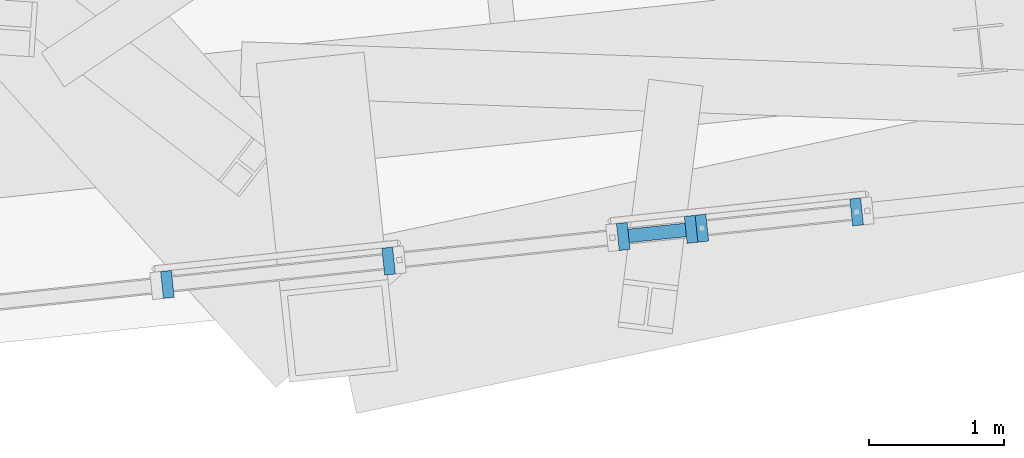
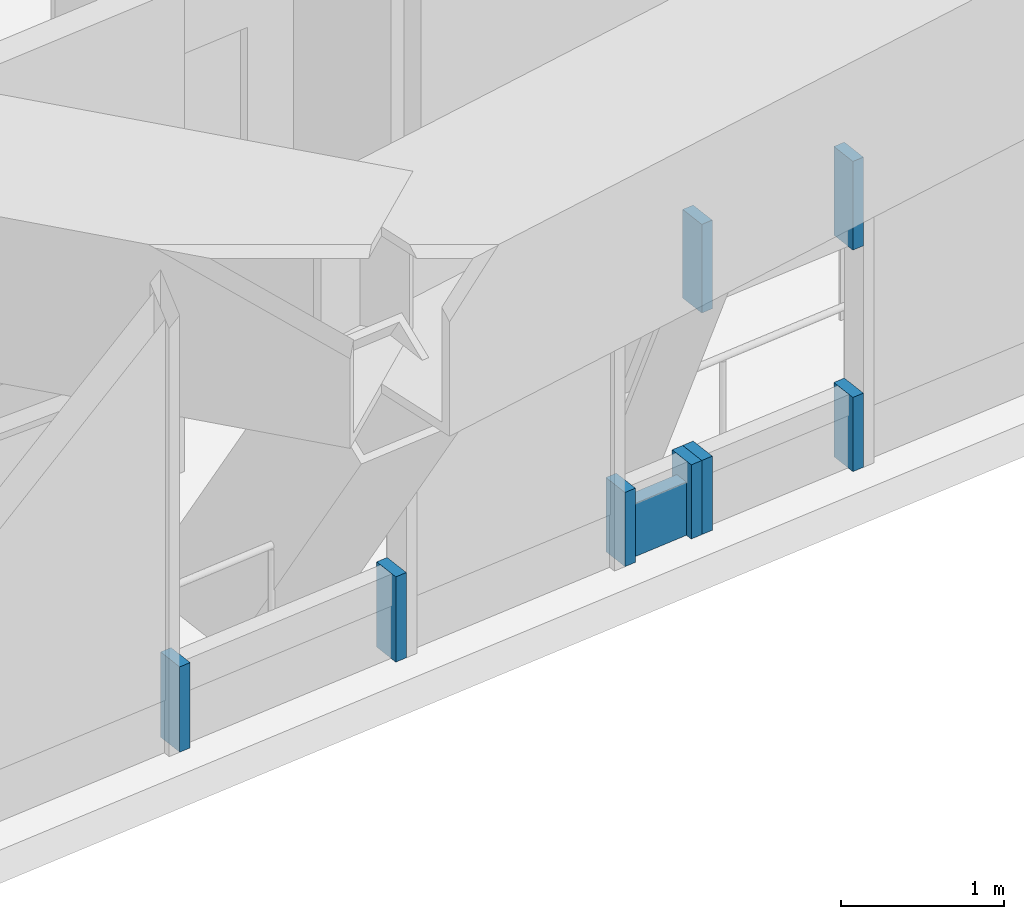
# One storey, part 8 of 23: 9 members, 4 elements without a shape of their own.
"""IFC4 building model written with IfcOpenShell, lengths in metres."""

from ifc_helpers import new_model, si_unit, direction, frame, origin, origin_2d, place, context, subcontext, project, spatial, rectangle, extrude, source, transform, mapped, material, material_profile, profile_set, type_object, element, aggregate, save


model = new_model("IFC4")

# Units and contexts
model_context = context("Model", 3, precision=1e-05, world=origin(), true_north=direction((0.0, 1.0)))
body_context = subcontext(model_context, "Body", "Model", "MODEL_VIEW")
ifc_project = project(units=[si_unit("LENGTHUNIT", "METRE"), si_unit("AREAUNIT", "SQUARE_METRE"), si_unit("VOLUMEUNIT", "CUBIC_METRE"), si_unit("PLANEANGLEUNIT", "RADIAN"), si_unit("MASSUNIT", "GRAM", prefix="KILO")], contexts=[model_context])

# Site, building, storey
site_placement = place(None, origin())
site = spatial("IfcSite", under=ifc_project, at=site_placement, CompositionType="ELEMENT")
building_placement = place(site_placement, origin())
building = spatial("IfcBuilding", under=site, at=building_placement, Name="Triune Harvest Tower", CompositionType="ELEMENT")
storey_placement = place(building_placement, frame((0.0, 0.0, 255.699951171875)))
storey = spatial("IfcBuildingStorey", under=building, at=storey_placement, Name="L67", CompositionType="ELEMENT", Elevation=255.699951171875)

# Curtain wall, members
ifc_material_1 = material(Name="Aluminium bronze anodised", Category="aluminium")
curtain_wall_type = type_object("IfcCurtainWallType", Name="CW-5 Plant louvre wall", PredefinedType="NOTDEFINED", material=ifc_material_1)
curtain_wall_1_placement = place(storey_placement, origin())
curtain_wall_1 = element("IfcCurtainWall", 1, at=curtain_wall_1_placement, inside=storey, type_object=curtain_wall_type, Name="CW-5 B6-F5 L67 run 101")
ifc_material_2 = material(Name="Aluminium bronze anodised", Category="aluminium")
ifc_material_profile_1 = material_profile(ifc_material_2, rectangle(XDim=0.199951171875, YDim=0.080078125, at=origin_2d()), Name="MU-5 mullion 80 x 200")
ifc_profile_set_1 = profile_set([ifc_material_profile_1], Name="Aluminium bronze anodised")
member_type_1 = type_object("IfcMemberType", Name="MU-5 mullion 80 x 200", PredefinedType="MULLION", material=ifc_profile_set_1)
shared_shape_1 = source(origin(), body_context, "Body", "SweptSolid", [
    extrude(rectangle(XDim=0.199951171875, YDim=0.080078125, at=origin_2d()), origin(), (0.0, 0.0, 1.0), 0.640625),
])
member_1_placement = place(storey_placement, frame((-19.3056640625, -22.142822265625, 0.0), z_axis=(0.0, 0.0, 1.0), x_axis=(-0.104476422192, 0.994527363729, 0.0)))
member_1 = element("IfcMember", 2, at=member_1_placement, type_object=member_type_1, Name="CW-5 mullion B6-F5 101.1", PredefinedType="MULLION", context=body_context, shape_type="MappedRepresentation", body=[
    mapped(shared_shape_1, transform((0.0, 0.0, 0.0), scale=1.0)),
])
member_2_placement = place(storey_placement, frame((-17.6708984375, -21.970947265625, 0.0), z_axis=(0.0, 0.0, 1.0), x_axis=(-0.104476422192, 0.994527363729, 0.0)))
member_2 = element("IfcMember", 3, at=member_2_placement, type_object=member_type_1, Name="CW-5 mullion B6-F5 101.2", PredefinedType="MULLION", context=body_context, shape_type="MappedRepresentation", body=[
    mapped(shared_shape_1, transform((0.0, 0.0, 0.0), scale=1.0)),
])
aggregate(curtain_wall_1, [member_1, member_2])

# Curtain wall, member
curtain_wall_2_placement = place(storey_placement, origin())
curtain_wall_2 = element("IfcCurtainWall", 4, at=curtain_wall_2_placement, inside=storey, type_object=curtain_wall_type, Name="CW-5 B6-F5 L67 run 301")
ifc_material_3 = material(Name="Aluminium bronze anodised", Category="aluminium")
ifc_material_profile_2 = material_profile(ifc_material_3, rectangle(XDim=0.10009765625, YDim=0.39990234375, at=origin_2d()), Name="TR-5 transom 100 x 400")
ifc_profile_set_2 = profile_set([ifc_material_profile_2], Name="Aluminium bronze anodised")
member_type_2 = type_object("IfcMemberType", Name="TR-5 transom 100 x 400", PredefinedType="USERDEFINED", material=ifc_profile_set_2)
shared_shape_2 = source(origin(), body_context, "Body", "SweptSolid", [
    extrude(rectangle(XDim=0.10009765625, YDim=0.39990234375, at=origin_2d()), origin(), (0.0, 0.0, 1.0), 0.42431640625),
])
member_3_placement = place(storey_placement, frame((-15.897705078125, -21.784423828125, 0.199951171875), z_axis=(0.994565176699, 0.104115845565, 0.0), x_axis=(-0.104115845565, 0.994565176699, 0.0)))
member_3 = element("IfcMember", 5, at=member_3_placement, type_object=member_type_2, Name="CW-5 transom B6-F5 301.1", ObjectType="TRANSOM", PredefinedType="USERDEFINED", context=body_context, shape_type="MappedRepresentation", body=[
    mapped(shared_shape_2, transform((0.0, 0.0, 0.0), scale=1.0)),
])

# Curtain wall, members
curtain_wall_3_placement = place(storey_placement, origin())
curtain_wall_3 = element("IfcCurtainWall", 6, at=curtain_wall_3_placement, inside=storey, type_object=curtain_wall_type, Name="CW-5 B6-F5 L67 run 501")
shared_shape_3 = source(origin(), body_context, "Body", "SweptSolid", [
    extrude(rectangle(XDim=0.199951171875, YDim=0.080078125, at=origin_2d()), origin(), (0.0, 0.0, 1.0), 0.666015625),
])
member_4_placement = place(storey_placement, frame((-15.356201171875, -21.7275390625, 1.6640625), z_axis=(0.0, 0.0, 1.0), x_axis=(-0.104485846627, 0.994526373635, 0.0)))
member_4 = element("IfcMember", 7, at=member_4_placement, type_object=member_type_1, Name="CW-5 mullion B6-F5 501.1", PredefinedType="MULLION", context=body_context, shape_type="MappedRepresentation", body=[
    mapped(shared_shape_3, transform((0.0, 0.0, 0.0), scale=1.0)),
])
member_5_placement = place(storey_placement, frame((-14.212890625, -21.607421875, 1.6640625), z_axis=(0.0, 0.0, 1.0), x_axis=(-0.104485846627, 0.994526373635, 0.0)))
member_5 = element("IfcMember", 8, at=member_5_placement, type_object=member_type_1, Name="CW-5 mullion B6-F5 501.2", PredefinedType="MULLION", context=body_context, shape_type="MappedRepresentation", body=[
    mapped(shared_shape_3, transform((0.0, 0.0, 0.0), scale=1.0)),
])
aggregate(curtain_wall_3, [member_4, member_5])

# Member
shared_shape_4 = source(origin(), body_context, "Body", "SweptSolid", [
    extrude(rectangle(XDim=0.199951171875, YDim=0.080078125, at=origin_2d()), origin(), (0.0, 0.0, 1.0), 0.55712890625),
])
member_6_placement = place(storey_placement, frame((-15.9375, -21.788818359375, 0.0), z_axis=(0.0, 0.0, 1.0), x_axis=(-0.104568968563, 0.994517637256, 0.0)))
member_6 = element("IfcMember", 9, at=member_6_placement, type_object=member_type_1, Name="CW-5 mullion B6-F5 301.1", PredefinedType="MULLION", context=body_context, shape_type="MappedRepresentation", body=[
    mapped(shared_shape_4, transform((0.0, 0.0, 0.0), scale=1.0)),
])

member_7_placement = place(storey_placement, frame((-15.435791015625, -21.736083984375, 0.0), z_axis=(0.0, 0.0, 1.0), x_axis=(-0.104568968563, 0.994517637256, 0.0)))
member_7 = element("IfcMember", 10, at=member_7_placement, type_object=member_type_1, Name="CW-5 mullion B6-F5 301.2", PredefinedType="MULLION", context=body_context, shape_type="MappedRepresentation", body=[
    mapped(shared_shape_4, transform((0.0, 0.0, 0.0), scale=1.0)),
])

aggregate(curtain_wall_2, [member_6, member_7, member_3])

# Curtain wall, members
curtain_wall_4_placement = place(storey_placement, origin())
curtain_wall_4 = element("IfcCurtainWall", 11, at=curtain_wall_4_placement, inside=storey, type_object=curtain_wall_type, Name="CW-5 B6-F5 L67 run 401")
member_8_placement = place(storey_placement, frame((-15.356201171875, -21.7275390625, 0.0), z_axis=(0.0, 0.0, 1.0), x_axis=(-0.104485846627, 0.994526373635, 0.0)))
member_8 = element("IfcMember", 12, at=member_8_placement, type_object=member_type_1, Name="CW-5 mullion B6-F5 401.1", PredefinedType="MULLION", context=body_context, shape_type="MappedRepresentation", body=[
    mapped(shared_shape_4, transform((0.0, 0.0, 0.0), scale=1.0)),
])
member_9_placement = place(storey_placement, frame((-14.212890625, -21.607421875, 0.0), z_axis=(0.0, 0.0, 1.0), x_axis=(-0.104485846627, 0.994526373635, 0.0)))
member_9 = element("IfcMember", 13, at=member_9_placement, type_object=member_type_1, Name="CW-5 mullion B6-F5 401.2", PredefinedType="MULLION", context=body_context, shape_type="MappedRepresentation", body=[
    mapped(shared_shape_4, transform((0.0, 0.0, 0.0), scale=1.0)),
])
aggregate(curtain_wall_4, [member_8, member_9])

save(model, "model.ifc")
